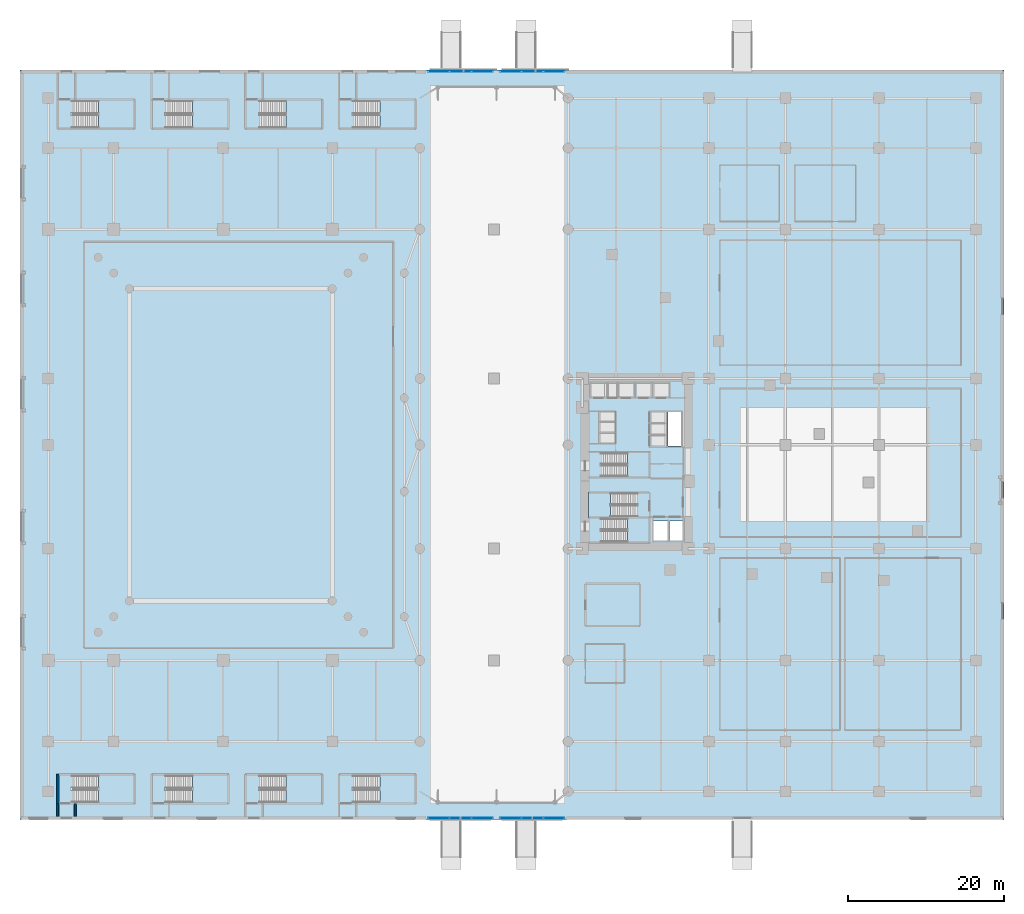
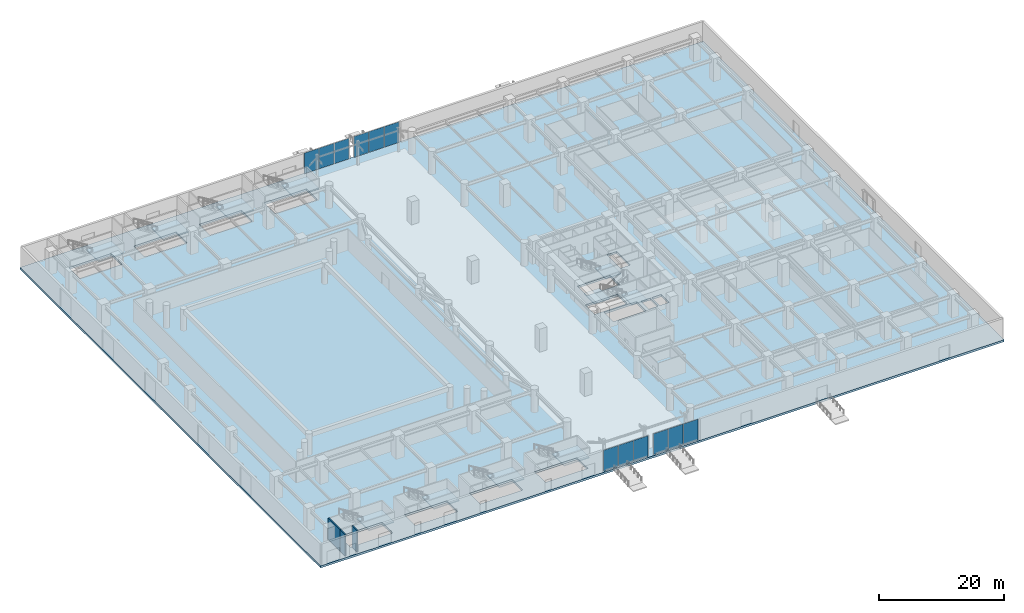
# One storey, part 20 of 42: 12 plates, 12 slabs, 3 walls, 15 elements without a shape of their own.
"""IFC4 building model written with IfcOpenShell, lengths in metres."""

from ifc_helpers import new_model, si_unit, direction, frame, frame_2d, origin, origin_2d, place, context, subcontext, project, spatial, polyline, rectangle, outline, extrude, material, layer, layer_set, type_object, element, aggregate, save


model = new_model("IFC4")

# Units and contexts
model_context = context("Model", 3, precision=1e-05, world=origin(), true_north=direction((0.0, 1.0)))
body_context = subcontext(model_context, "Body", "Model", "MODEL_VIEW")
ifc_project = project(units=[si_unit("LENGTHUNIT", "METRE"), si_unit("AREAUNIT", "SQUARE_METRE"), si_unit("VOLUMEUNIT", "CUBIC_METRE"), si_unit("PLANEANGLEUNIT", "RADIAN"), si_unit("MASSUNIT", "GRAM", prefix="KILO")], contexts=[model_context])

# Site, building, storey
site_placement = place(None, origin())
site = spatial("IfcSite", under=ifc_project, at=site_placement, CompositionType="ELEMENT")
building_placement = place(site_placement, origin())
building = spatial("IfcBuilding", under=site, at=building_placement, Name="Narakoshi Arena Tower", CompositionType="ELEMENT")
storey_placement = place(building_placement, origin())
storey = spatial("IfcBuildingStorey", under=building, at=storey_placement, Name="L00", CompositionType="ELEMENT", Elevation=0.0)

# Curtain wall, plates
ifc_material_1 = material(Name="Anodised bronze aluminium 6063-T6", Category="aluminium")
curtain_wall_type = type_object("IfcCurtainWallType", Name="CW-POD-CONC", PredefinedType="NOTDEFINED", material=ifc_material_1)
curtain_wall_1_placement = place(storey_placement, origin())
curtain_wall_1 = element("IfcCurtainWall", 1, at=curtain_wall_1_placement, inside=storey, type_object=curtain_wall_type, Name="L00 Street Concourse Curtain Wall CS1", PredefinedType="NOTDEFINED")
ifc_material_2 = material(Name="Bronze-tinted low-E laminated glass", Category="glass")
ifc_layer_1 = layer(ifc_material_2, 0.031982421875)
ifc_layer_set_1 = layer_set([ifc_layer_1], Name="Bronze-tinted low-E laminated glass")
plate_type = type_object("IfcPlateType", Name="PLT-GLZ-32", PredefinedType="CURTAIN_PANEL", material=ifc_layer_set_1)
plate_1_placement = place(storey_placement, frame((53.6201171875, 0.2099609375, 0.070068359375), z_axis=(0.0, 0.0, 1.0), x_axis=(1.0, 0.0, 0.0)))
plate_1 = element("IfcPlate", 2, at=plate_1_placement, type_object=plate_type, Name="CW-04 panel 1.1", PredefinedType="CURTAIN_PANEL", context=body_context, shape_type="SweptSolid", body=[
    extrude(rectangle(XDim=2.679931640625, YDim=0.031982421875, at=origin_2d()), origin(), (0.0, 0.0, 1.0), 4.0400390625),
])
plate_2_placement = place(storey_placement, frame((56.39990234375, 0.2099609375, 0.070068359375), z_axis=(0.0, 0.0, 1.0), x_axis=(1.0, 0.0, 0.0)))
plate_2 = element("IfcPlate", 3, at=plate_2_placement, type_object=plate_type, Name="CW-04 panel 2.1", PredefinedType="CURTAIN_PANEL", context=body_context, shape_type="SweptSolid", body=[
    extrude(rectangle(XDim=2.719970703125, YDim=0.031982421875, at=origin_2d()), origin(), (0.0, 0.0, 1.0), 4.0400390625),
])
plate_3_placement = place(storey_placement, frame((59.179931640625, 0.2099609375, 0.070068359375), z_axis=(0.0, 0.0, 1.0), x_axis=(1.0, 0.0, 0.0)))
plate_3 = element("IfcPlate", 4, at=plate_3_placement, type_object=plate_type, Name="CW-04 panel 3.1", PredefinedType="CURTAIN_PANEL", context=body_context, shape_type="SweptSolid", body=[
    extrude(rectangle(XDim=2.679931640625, YDim=0.031982421875, at=origin_2d()), origin(), (0.0, 0.0, 1.0), 4.0400390625),
])
aggregate(curtain_wall_1, [plate_1, plate_2, plate_3])

curtain_wall_2_placement = place(storey_placement, origin())
curtain_wall_2 = element("IfcCurtainWall", 5, at=curtain_wall_2_placement, inside=storey, type_object=curtain_wall_type, Name="L00 Street Concourse Curtain Wall CS2", PredefinedType="NOTDEFINED")
plate_4_placement = place(storey_placement, frame((62.820068359375, 0.2099609375, 0.070068359375), z_axis=(0.0, 0.0, 1.0), x_axis=(1.0, 0.0, 0.0)))
plate_4 = element("IfcPlate", 6, at=plate_4_placement, type_object=plate_type, Name="CW-04 panel 1.1", PredefinedType="CURTAIN_PANEL", context=body_context, shape_type="SweptSolid", body=[
    extrude(rectangle(XDim=2.679931640625, YDim=0.031982421875, at=origin_2d()), origin(), (0.0, 0.0, 1.0), 4.0400390625),
])
plate_5_placement = place(storey_placement, frame((65.60009765625, 0.2099609375, 0.070068359375), z_axis=(0.0, 0.0, 1.0), x_axis=(1.0, 0.0, 0.0)))
plate_5 = element("IfcPlate", 7, at=plate_5_placement, type_object=plate_type, Name="CW-04 panel 2.1", PredefinedType="CURTAIN_PANEL", context=body_context, shape_type="SweptSolid", body=[
    extrude(rectangle(XDim=2.719970703125, YDim=0.031982421875, at=origin_2d()), origin(), (0.0, 0.0, 1.0), 4.0400390625),
])
plate_6_placement = place(storey_placement, frame((68.3798828125, 0.2099609375, 0.070068359375), z_axis=(0.0, 0.0, 1.0), x_axis=(1.0, 0.0, 0.0)))
plate_6 = element("IfcPlate", 8, at=plate_6_placement, type_object=plate_type, Name="CW-04 panel 3.1", PredefinedType="CURTAIN_PANEL", context=body_context, shape_type="SweptSolid", body=[
    extrude(rectangle(XDim=2.679931640625, YDim=0.031982421875, at=origin_2d()), origin(), (0.0, 0.0, 1.0), 4.0400390625),
])
aggregate(curtain_wall_2, [plate_4, plate_5, plate_6])

curtain_wall_3_placement = place(storey_placement, origin())
curtain_wall_3 = element("IfcCurtainWall", 9, at=curtain_wall_3_placement, inside=storey, type_object=curtain_wall_type, Name="L00 Street Concourse Curtain Wall CN1", PredefinedType="NOTDEFINED")
plate_7_placement = place(storey_placement, frame((68.3798828125, 95.7900390625, 0.070068359375), z_axis=(0.0, 0.0, 1.0), x_axis=(-1.0, 0.0, 0.0)))
plate_7 = element("IfcPlate", 10, at=plate_7_placement, type_object=plate_type, Name="CW-04 panel 1.1", PredefinedType="CURTAIN_PANEL", context=body_context, shape_type="SweptSolid", body=[
    extrude(rectangle(XDim=2.679931640625, YDim=0.031982421875, at=origin_2d()), origin(), (0.0, 0.0, 1.0), 4.0400390625),
])
plate_8_placement = place(storey_placement, frame((65.60009765625, 95.7900390625, 0.070068359375), z_axis=(0.0, 0.0, 1.0), x_axis=(-1.0, 0.0, 0.0)))
plate_8 = element("IfcPlate", 11, at=plate_8_placement, type_object=plate_type, Name="CW-04 panel 2.1", PredefinedType="CURTAIN_PANEL", context=body_context, shape_type="SweptSolid", body=[
    extrude(rectangle(XDim=2.719970703125, YDim=0.031982421875, at=origin_2d()), origin(), (0.0, 0.0, 1.0), 4.0400390625),
])
plate_9_placement = place(storey_placement, frame((62.820068359375, 95.7900390625, 0.070068359375), z_axis=(0.0, 0.0, 1.0), x_axis=(-1.0, 0.0, 0.0)))
plate_9 = element("IfcPlate", 12, at=plate_9_placement, type_object=plate_type, Name="CW-04 panel 3.1", PredefinedType="CURTAIN_PANEL", context=body_context, shape_type="SweptSolid", body=[
    extrude(rectangle(XDim=2.679931640625, YDim=0.031982421875, at=origin_2d()), origin(), (0.0, 0.0, 1.0), 4.0400390625),
])
aggregate(curtain_wall_3, [plate_7, plate_8, plate_9])

curtain_wall_4_placement = place(storey_placement, origin())
curtain_wall_4 = element("IfcCurtainWall", 13, at=curtain_wall_4_placement, inside=storey, type_object=curtain_wall_type, Name="L00 Street Concourse Curtain Wall CN2", PredefinedType="NOTDEFINED")
plate_10_placement = place(storey_placement, frame((59.179931640625, 95.7900390625, 0.070068359375), z_axis=(0.0, 0.0, 1.0), x_axis=(-1.0, 0.0, 0.0)))
plate_10 = element("IfcPlate", 14, at=plate_10_placement, type_object=plate_type, Name="CW-04 panel 1.1", PredefinedType="CURTAIN_PANEL", context=body_context, shape_type="SweptSolid", body=[
    extrude(rectangle(XDim=2.679931640625, YDim=0.031982421875, at=origin_2d()), origin(), (0.0, 0.0, 1.0), 4.0400390625),
])
plate_11_placement = place(storey_placement, frame((56.39990234375, 95.7900390625, 0.070068359375), z_axis=(0.0, 0.0, 1.0), x_axis=(-1.0, 0.0, 0.0)))
plate_11 = element("IfcPlate", 15, at=plate_11_placement, type_object=plate_type, Name="CW-04 panel 2.1", PredefinedType="CURTAIN_PANEL", context=body_context, shape_type="SweptSolid", body=[
    extrude(rectangle(XDim=2.719970703125, YDim=0.031982421875, at=origin_2d()), origin(), (0.0, 0.0, 1.0), 4.0400390625),
])
plate_12_placement = place(storey_placement, frame((53.6201171875, 95.7900390625, 0.070068359375), z_axis=(0.0, 0.0, 1.0), x_axis=(-1.0, 0.0, 0.0)))
plate_12 = element("IfcPlate", 16, at=plate_12_placement, type_object=plate_type, Name="CW-04 panel 3.1", PredefinedType="CURTAIN_PANEL", context=body_context, shape_type="SweptSolid", body=[
    extrude(rectangle(XDim=2.679931640625, YDim=0.031982421875, at=origin_2d()), origin(), (0.0, 0.0, 1.0), 4.0400390625),
])
aggregate(curtain_wall_4, [plate_10, plate_11, plate_12])

# Slab
ifc_material_3 = material(Name="Concrete C45/55", Category="concrete")
ifc_layer_2 = layer(ifc_material_3, 0.39990234375)
ifc_layer_set_2 = layer_set([ifc_layer_2], Name="Concrete C45/55")
slab_type_1 = type_object("IfcSlabType", Name="SLB-CONC-400", PredefinedType="FLOOR", material=ifc_layer_set_2)
slab_1_placement = place(storey_placement, frame((0.0, 0.0, -0.39990234375)))
element("IfcSlab", 17, at=slab_1_placement, inside=storey, type_object=slab_type_1, Name="L00 Structural Floor Slab", PredefinedType="FLOOR", context=body_context, shape_type="SweptSolid", body=[
    extrude(outline(polyline([(0.0, 0.0), (126.0, 0.0), (126.0, 96.0), (0.0, 96.0), (0.0, 0.0)]), holes=[polyline([(14.550048828125, 2.199951171875), (6.72998046875, 2.199951171875), (6.72998046875, 5.64990234375), (14.550048828125, 5.64990234375), (14.550048828125, 2.199951171875)]), polyline([(18.72998046875, 2.199951171875), (18.72998046875, 5.64990234375), (26.550048828125, 5.64990234375), (26.550048828125, 2.199951171875), (18.72998046875, 2.199951171875)]), polyline([(30.72998046875, 2.199951171875), (30.72998046875, 5.64990234375), (38.550048828125, 5.64990234375), (38.550048828125, 2.199951171875), (30.72998046875, 2.199951171875)]), polyline([(42.72998046875, 2.199951171875), (42.72998046875, 5.64990234375), (50.550048828125, 5.64990234375), (50.550048828125, 2.199951171875), (42.72998046875, 2.199951171875)]), polyline([(74.47998046875, 35.550048828125), (74.47998046875, 38.550048828125), (80.5, 38.550048828125), (80.5, 35.550048828125), (74.47998046875, 35.550048828125)]), polyline([(82.89990234375, 35.75), (81.14990234375, 35.75), (81.14990234375, 38.25), (82.89990234375, 38.25), (82.89990234375, 35.75)]), polyline([(83.14990234375, 35.75), (83.14990234375, 38.25), (84.89990234375, 38.25), (84.89990234375, 35.75), (83.14990234375, 35.75)]), polyline([(72.949951171875, 38.800048828125), (72.949951171875, 41.800048828125), (78.969970703125, 41.800048828125), (78.969970703125, 38.800048828125), (72.949951171875, 38.800048828125)]), polyline([(74.47998046875, 43.949951171875), (74.47998046875, 46.949951171875), (80.5, 46.949951171875), (80.5, 43.949951171875), (74.47998046875, 43.949951171875)]), polyline([(82.949951171875, 47.840087890625), (82.949951171875, 52.199951171875), (84.699951171875, 52.199951171875), (84.699951171875, 47.840087890625), (82.949951171875, 47.840087890625)]), polyline([(6.72998046875, 88.60009765625), (6.72998046875, 92.050048828125), (14.550048828125, 92.050048828125), (14.550048828125, 88.60009765625), (6.72998046875, 88.60009765625)]), polyline([(18.72998046875, 88.60009765625), (18.72998046875, 92.050048828125), (26.550048828125, 92.050048828125), (26.550048828125, 88.60009765625), (18.72998046875, 88.60009765625)]), polyline([(30.72998046875, 88.60009765625), (30.72998046875, 92.050048828125), (38.550048828125, 92.050048828125), (38.550048828125, 88.60009765625), (30.72998046875, 88.60009765625)]), polyline([(42.72998046875, 88.60009765625), (42.72998046875, 92.050048828125), (50.550048828125, 92.050048828125), (50.550048828125, 88.60009765625), (42.72998046875, 88.60009765625)])]), origin(), (0.0, 0.0, 1.0), 0.39990234375),
])

# Stair, slab
stair_type_1 = type_object("IfcStairType", Name="STR-POD-450", PredefinedType="TWO_STRAIGHT_RUN_STAIR", material=ifc_material_3)
stair_1_placement = place(storey_placement, origin())
stair_1 = element("IfcStair", 18, at=stair_1_placement, inside=storey, type_object=stair_type_1, Name="L00 Core Escape Stair ST1", PredefinedType="TWO_STRAIGHT_RUN_STAIR")
ifc_layer_3 = layer(ifc_material_3, 0.18994140625)
ifc_layer_set_3 = layer_set([ifc_layer_3], Name="Concrete C45/55")
slab_type_2 = type_object("IfcSlabType", Name="SLB-LND-190", PredefinedType="LANDING", material=ifc_layer_set_3)
slab_2_placement = place(storey_placement, frame((0.0, 0.0, 2.06005859375)))
slab_2 = element("IfcSlab", 19, at=slab_2_placement, type_object=slab_type_2, Name="ST1 landing 1", PredefinedType="LANDING", context=body_context, shape_type="SweptSolid", body=[
    extrude(outline(polyline([(77.820068359375, 35.3701171875), (80.679931640625, 35.3701171875), (80.679931640625, 38.72998046875), (77.820068359375, 38.72998046875), (77.820068359375, 35.3701171875)])), origin(), (0.0, 0.0, 1.0), 0.18994140625),
])
aggregate(stair_1, [slab_2])

stair_2_placement = place(storey_placement, origin())
stair_2 = element("IfcStair", 20, at=stair_2_placement, inside=storey, type_object=stair_type_1, Name="L00 Core Escape Stair ST2", PredefinedType="TWO_STRAIGHT_RUN_STAIR")
slab_3_placement = place(storey_placement, frame((0.0, 0.0, 2.06005859375)))
slab_3 = element("IfcSlab", 21, at=slab_3_placement, type_object=slab_type_2, Name="ST2 landing 1", PredefinedType="LANDING", context=body_context, shape_type="SweptSolid", body=[
    extrude(outline(polyline([(72.77001953125, 38.6201171875), (75.6298828125, 38.6201171875), (75.6298828125, 41.97998046875), (72.77001953125, 41.97998046875), (72.77001953125, 38.6201171875)])), origin(), (0.0, 0.0, 1.0), 0.18994140625),
])
aggregate(stair_2, [slab_3])

stair_3_placement = place(storey_placement, origin())
stair_3 = element("IfcStair", 22, at=stair_3_placement, inside=storey, type_object=stair_type_1, Name="L00 Core Escape Stair ST3", PredefinedType="TWO_STRAIGHT_RUN_STAIR")
slab_4_placement = place(storey_placement, frame((0.0, 0.0, 2.06005859375)))
slab_4 = element("IfcSlab", 23, at=slab_4_placement, type_object=slab_type_2, Name="ST3 landing 1", PredefinedType="LANDING", context=body_context, shape_type="SweptSolid", body=[
    extrude(outline(polyline([(77.820068359375, 43.77001953125), (80.679931640625, 43.77001953125), (80.679931640625, 47.1298828125), (77.820068359375, 47.1298828125), (77.820068359375, 43.77001953125)])), origin(), (0.0, 0.0, 1.0), 0.18994140625),
])
aggregate(stair_3, [slab_4])

stair_type_2 = type_object("IfcStairType", Name="STR-ARN-2400", PredefinedType="TWO_STRAIGHT_RUN_STAIR", material=ifc_material_3)
stair_4_placement = place(storey_placement, origin())
stair_4 = element("IfcStair", 24, at=stair_4_placement, inside=storey, type_object=stair_type_2, Name="L00 Arena Crowd Escape Stair AST1", PredefinedType="TWO_STRAIGHT_RUN_STAIR")
slab_5_placement = place(storey_placement, frame((0.0, 0.0, 2.06005859375)))
slab_5 = element("IfcSlab", 25, at=slab_5_placement, type_object=slab_type_2, Name="AST1 landing 1", PredefinedType="LANDING", context=body_context, shape_type="SweptSolid", body=[
    extrude(outline(polyline([(10.070068359375, 2.02001953125), (14.72998046875, 2.02001953125), (14.72998046875, 5.830078125), (10.070068359375, 5.830078125), (10.070068359375, 2.02001953125)])), origin(), (0.0, 0.0, 1.0), 0.18994140625),
])
aggregate(stair_4, [slab_5])

stair_5_placement = place(storey_placement, origin())
stair_5 = element("IfcStair", 26, at=stair_5_placement, inside=storey, type_object=stair_type_2, Name="L00 Arena Crowd Escape Stair AST2", PredefinedType="TWO_STRAIGHT_RUN_STAIR")
slab_6_placement = place(storey_placement, frame((0.0, 0.0, 2.06005859375)))
slab_6 = element("IfcSlab", 27, at=slab_6_placement, type_object=slab_type_2, Name="AST2 landing 1", PredefinedType="LANDING", context=body_context, shape_type="SweptSolid", body=[
    extrude(outline(polyline([(22.070068359375, 2.02001953125), (26.72998046875, 2.02001953125), (26.72998046875, 5.830078125), (22.070068359375, 5.830078125), (22.070068359375, 2.02001953125)])), origin(), (0.0, 0.0, 1.0), 0.18994140625),
])
aggregate(stair_5, [slab_6])

stair_6_placement = place(storey_placement, origin())
stair_6 = element("IfcStair", 28, at=stair_6_placement, inside=storey, type_object=stair_type_2, Name="L00 Arena Crowd Escape Stair AST3", PredefinedType="TWO_STRAIGHT_RUN_STAIR")
slab_7_placement = place(storey_placement, frame((0.0, 0.0, 2.06005859375)))
slab_7 = element("IfcSlab", 29, at=slab_7_placement, type_object=slab_type_2, Name="AST3 landing 1", PredefinedType="LANDING", context=body_context, shape_type="SweptSolid", body=[
    extrude(outline(polyline([(34.070068359375, 2.02001953125), (38.72998046875, 2.02001953125), (38.72998046875, 5.830078125), (34.070068359375, 5.830078125), (34.070068359375, 2.02001953125)])), origin(), (0.0, 0.0, 1.0), 0.18994140625),
])
aggregate(stair_6, [slab_7])

stair_7_placement = place(storey_placement, origin())
stair_7 = element("IfcStair", 30, at=stair_7_placement, inside=storey, type_object=stair_type_2, Name="L00 Arena Crowd Escape Stair AST4", PredefinedType="TWO_STRAIGHT_RUN_STAIR")
slab_8_placement = place(storey_placement, frame((0.0, 0.0, 2.06005859375)))
slab_8 = element("IfcSlab", 31, at=slab_8_placement, type_object=slab_type_2, Name="AST4 landing 1", PredefinedType="LANDING", context=body_context, shape_type="SweptSolid", body=[
    extrude(outline(polyline([(46.070068359375, 2.02001953125), (50.72998046875, 2.02001953125), (50.72998046875, 5.830078125), (46.070068359375, 5.830078125), (46.070068359375, 2.02001953125)])), origin(), (0.0, 0.0, 1.0), 0.18994140625),
])
aggregate(stair_7, [slab_8])

stair_8_placement = place(storey_placement, origin())
stair_8 = element("IfcStair", 32, at=stair_8_placement, inside=storey, type_object=stair_type_2, Name="L00 Arena Crowd Escape Stair AST5", PredefinedType="TWO_STRAIGHT_RUN_STAIR")
slab_9_placement = place(storey_placement, frame((0.0, 0.0, 2.06005859375)))
slab_9 = element("IfcSlab", 33, at=slab_9_placement, type_object=slab_type_2, Name="AST5 landing 1", PredefinedType="LANDING", context=body_context, shape_type="SweptSolid", body=[
    extrude(outline(polyline([(10.070068359375, 88.419921875), (14.72998046875, 88.419921875), (14.72998046875, 92.22998046875), (10.070068359375, 92.22998046875), (10.070068359375, 88.419921875)])), origin(), (0.0, 0.0, 1.0), 0.18994140625),
])
aggregate(stair_8, [slab_9])

stair_9_placement = place(storey_placement, origin())
stair_9 = element("IfcStair", 34, at=stair_9_placement, inside=storey, type_object=stair_type_2, Name="L00 Arena Crowd Escape Stair AST6", PredefinedType="TWO_STRAIGHT_RUN_STAIR")
slab_10_placement = place(storey_placement, frame((0.0, 0.0, 2.06005859375)))
slab_10 = element("IfcSlab", 35, at=slab_10_placement, type_object=slab_type_2, Name="AST6 landing 1", PredefinedType="LANDING", context=body_context, shape_type="SweptSolid", body=[
    extrude(outline(polyline([(22.070068359375, 88.419921875), (26.72998046875, 88.419921875), (26.72998046875, 92.22998046875), (22.070068359375, 92.22998046875), (22.070068359375, 88.419921875)])), origin(), (0.0, 0.0, 1.0), 0.18994140625),
])
aggregate(stair_9, [slab_10])

stair_10_placement = place(storey_placement, origin())
stair_10 = element("IfcStair", 36, at=stair_10_placement, inside=storey, type_object=stair_type_2, Name="L00 Arena Crowd Escape Stair AST7", PredefinedType="TWO_STRAIGHT_RUN_STAIR")
slab_11_placement = place(storey_placement, frame((0.0, 0.0, 2.06005859375)))
slab_11 = element("IfcSlab", 37, at=slab_11_placement, type_object=slab_type_2, Name="AST7 landing 1", PredefinedType="LANDING", context=body_context, shape_type="SweptSolid", body=[
    extrude(outline(polyline([(34.070068359375, 88.419921875), (38.72998046875, 88.419921875), (38.72998046875, 92.22998046875), (34.070068359375, 92.22998046875), (34.070068359375, 88.419921875)])), origin(), (0.0, 0.0, 1.0), 0.18994140625),
])
aggregate(stair_10, [slab_11])

stair_11_placement = place(storey_placement, origin())
stair_11 = element("IfcStair", 38, at=stair_11_placement, inside=storey, type_object=stair_type_2, Name="L00 Arena Crowd Escape Stair AST8", PredefinedType="TWO_STRAIGHT_RUN_STAIR")
slab_12_placement = place(storey_placement, frame((0.0, 0.0, 2.06005859375)))
slab_12 = element("IfcSlab", 39, at=slab_12_placement, type_object=slab_type_2, Name="AST8 landing 1", PredefinedType="LANDING", context=body_context, shape_type="SweptSolid", body=[
    extrude(outline(polyline([(46.070068359375, 88.419921875), (50.72998046875, 88.419921875), (50.72998046875, 92.22998046875), (46.070068359375, 92.22998046875), (46.070068359375, 88.419921875)])), origin(), (0.0, 0.0, 1.0), 0.18994140625),
])
aggregate(stair_11, [slab_12])

# Walls
ifc_material_4 = material(Name="Concrete C50/60", Category="concrete")
ifc_layer_4 = layer(ifc_material_4, 0.35009765625)
ifc_layer_set_4 = layer_set([ifc_layer_4], Name="Concrete C50/60")
wall_type = type_object("IfcWallType", Name="WL-SHAFT-350", PredefinedType="SOLIDWALL", material=ifc_layer_set_4)
wall_placement = place(storey_placement, frame((4.85009765625, 2.050048828125, -0.39990234375), z_axis=(0.0, 0.0, 1.0), x_axis=(0.0, 1.0, 0.0)))
element("IfcWall", 40, at=wall_placement, inside=storey, type_object=wall_type, Name="L00 AST1 Enclosure Wall W", PredefinedType="SOLIDWALL", context=body_context, shape_type="SweptSolid", body=[
    extrude(rectangle(XDim=3.75, YDim=0.25, at=frame_2d((1.875, 0.0))), origin(), (0.0, 0.0, 1.0), 4.579833984375),
])
for number, where, z_axis, x_axis, name in (
    (41, (4.830078125, 0.419921875, 0.0), (0.0, 0.0, 1.0), (0.0, 1.0, 0.0), "L00 Protected Exit Passageway AST1 Wall W"),
    (42, (7.070068359375, 0.419921875, 0.0), (0.0, 0.0, 1.0), (0.0, 1.0, 0.0), "L00 Protected Exit Passageway AST1 Wall E"),
):
    element("IfcWall", number, at=place(storey_placement, frame(where, z_axis=z_axis, x_axis=x_axis)), inside=storey, type_object=wall_type, Name=name, PredefinedType="SOLIDWALL", context=body_context, shape_type="SweptSolid", body=[
        extrude(rectangle(XDim=1.630126953125, YDim=0.219970703125, at=frame_2d((0.81494140625, 0.0))), origin(), (0.0, 0.0, 1.0), 4.179931640625),
    ])

save(model, "model.ifc")
